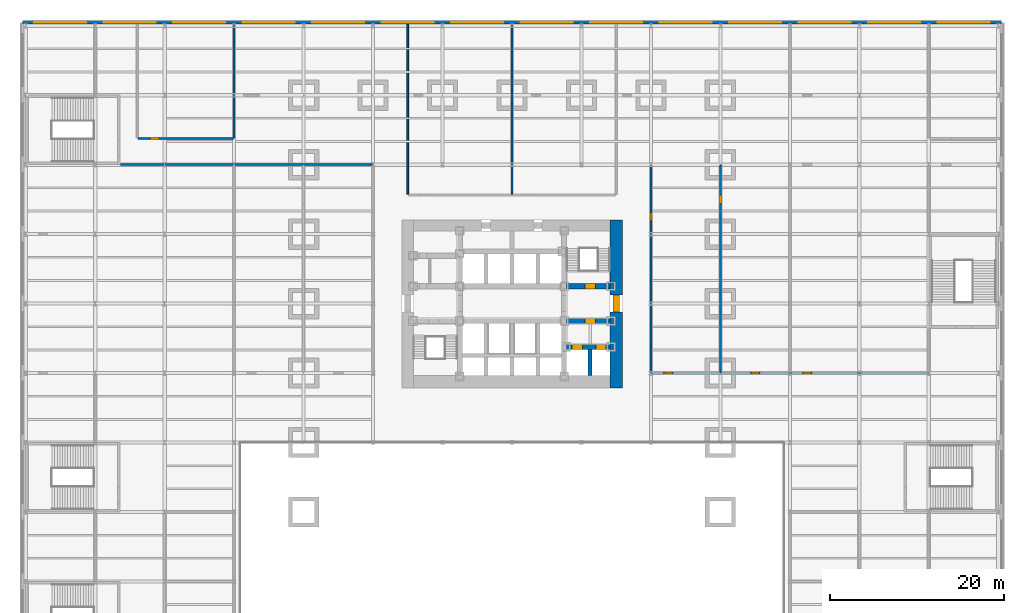
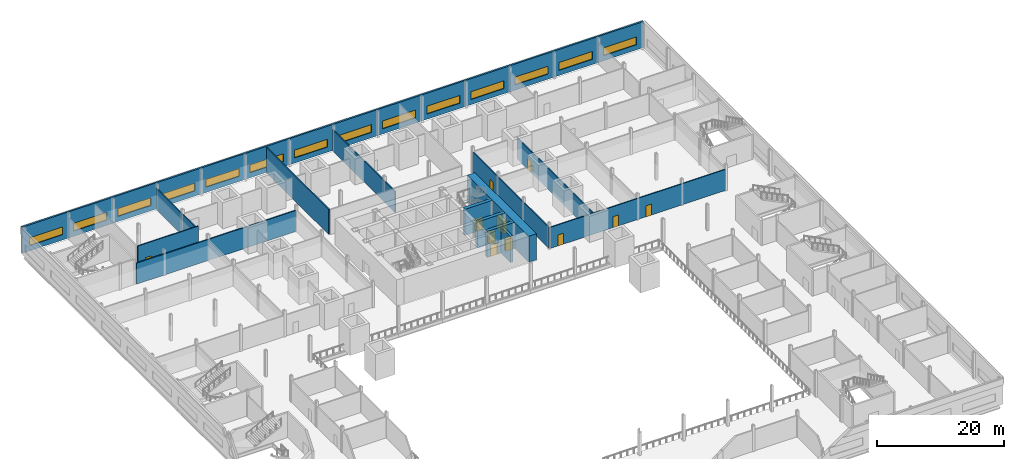
# One storey, part 12 of 18: 14 walls, 14 windows, 11 doors, 25 openings.
"""IFC4 building model written with IfcOpenShell, lengths in metres."""

from ifc_helpers import new_model, si_unit, direction, frame, frame_2d, origin, place, context, subcontext, project, spatial, rectangle, extrude, material, layer, layer_set, type_object, element, fill, save


model = new_model("IFC4")

# Units and contexts
model_context = context("Model", 3, precision=1e-05, world=origin(), true_north=direction((0.0, 1.0)))
body_context = subcontext(model_context, "Body", "Model", "MODEL_VIEW")
ifc_project = project(units=[si_unit("LENGTHUNIT", "METRE"), si_unit("AREAUNIT", "SQUARE_METRE"), si_unit("VOLUMEUNIT", "CUBIC_METRE"), si_unit("PLANEANGLEUNIT", "RADIAN"), si_unit("MASSUNIT", "GRAM", prefix="KILO")], contexts=[model_context])

# Site, building, storey
site_placement = place(None, origin())
site = spatial("IfcSite", under=ifc_project, at=site_placement, CompositionType="ELEMENT")
building_placement = place(site_placement, origin())
building = spatial("IfcBuilding", under=site, at=building_placement, Name="Daluyong Arena Tower", CompositionType="ELEMENT")
storey_placement = place(building_placement, frame((0.0, 0.0, 4.89990234375)))
storey = spatial("IfcBuildingStorey", under=building, at=storey_placement, Name="L01", CompositionType="ELEMENT", Elevation=4.89990234375)

# Wall, openings, doors
ifc_material_1 = material(Name="Concrete fc' 60 MPa", Category="concrete")
ifc_layer_1 = layer(ifc_material_1, 0.60009765625)
ifc_layer_set_1 = layer_set([ifc_layer_1], Name="Concrete fc' 60 MPa")
wall_type_1 = type_object("IfcWallType", Name="Core inner wall 600", PredefinedType="SHEAR", material=ifc_layer_set_1)
wall_1_placement = place(storey_placement, frame((62.300048828125, 75.0, 0.0), z_axis=(0.0, 0.0, 1.0), x_axis=(1.0, 0.0, 0.0)))
wall_1 = element("IfcWall", 1, at=wall_1_placement, inside=storey, type_object=wall_type_1, Name="core inner wall at L01", PredefinedType="SHEAR", context=body_context, shape_type="SweptSolid", body=[
    extrude(rectangle(XDim=5.0, YDim=0.60009765625, at=frame_2d((2.5, 0.0))), origin(), (0.0, 0.0, 1.0), 5.0),
])
opening_1_placement = place(wall_1_placement, frame((0.60009765625, 0.0, 0.0)))
opening_1 = element("IfcOpeningElement", 2, at=opening_1_placement, cuts=wall_1, Name="Opening 01013", PredefinedType="OPENING", context=body_context, shape_type="SweptSolid", body=[
    extrude(rectangle(XDim=1.199951171875, YDim=2.199951171875, at=frame_2d((0.60009765625, 1.10009765625))), frame((0.0, 0.31005859375, 0.0), z_axis=(0.0, -1.0, 0.0), x_axis=(1.0, 0.0, 0.0)), (0.0, 0.0, 1.0), 0.6201171875),
])
opening_2_placement = place(wall_1_placement, frame((3.35009765625, 0.0, 0.0)))
opening_2 = element("IfcOpeningElement", 3, at=opening_2_placement, cuts=wall_1, Name="Opening 01014", PredefinedType="OPENING", context=body_context, shape_type="SweptSolid", body=[
    extrude(rectangle(XDim=1.199951171875, YDim=2.199951171875, at=frame_2d((0.60009765625, 1.10009765625))), frame((0.0, 0.31005859375, 0.0), z_axis=(0.0, -1.0, 0.0), x_axis=(1.0, 0.0, 0.0)), (0.0, 0.0, 1.0), 0.6201171875),
])
ifc_material_2 = material(Name="Steel door, fire rated", Category="steel")
door_type_1 = type_object("IfcDoorType", Name="Firefighting lift landing door 1200", OperationType="SLIDING_TO_LEFT", PredefinedType="DOOR", material=ifc_material_2)
door_1_placement = place(opening_1_placement, origin())
door_1 = element("IfcDoor", 4, at=door_1_placement, inside=storey, type_object=door_type_1, Name="firefighting lift landing door F1 01013", OperationType="SLIDING_TO_LEFT", OverallHeight=2.199951171875, OverallWidth=1.199951171875, PredefinedType="DOOR", context=body_context, shape_type="SweptSolid", body=[
    extrude(rectangle(XDim=1.199951171875, YDim=2.199951171875, at=frame_2d((0.60009765625, 1.10009765625))), frame((0.0, 0.2998046875, 0.0), z_axis=(0.0, -1.0, 0.0), x_axis=(1.0, 0.0, 0.0)), (0.0, 0.0, 1.0), 0.599609375),
])
fill(opening_1, door_1)
door_2_placement = place(opening_2_placement, origin())
door_2 = element("IfcDoor", 5, at=door_2_placement, inside=storey, type_object=door_type_1, Name="firefighting lift landing door F2 01014", OperationType="SLIDING_TO_LEFT", OverallHeight=2.199951171875, OverallWidth=1.199951171875, PredefinedType="DOOR", context=body_context, shape_type="SweptSolid", body=[
    extrude(rectangle(XDim=1.199951171875, YDim=2.199951171875, at=frame_2d((0.60009765625, 1.10009765625))), frame((0.0, 0.2998046875, 0.0), z_axis=(0.0, -1.0, 0.0), x_axis=(1.0, 0.0, 0.0)), (0.0, 0.0, 1.0), 0.599609375),
])
fill(opening_2, door_2)

# Wall, opening, door
wall_2_placement = place(storey_placement, frame((62.300048828125, 78.0, 0.0), z_axis=(0.0, 0.0, 1.0), x_axis=(1.0, 0.0, 0.0)))
wall_2 = element("IfcWall", 6, at=wall_2_placement, inside=storey, type_object=wall_type_1, Name="core inner wall at L01", PredefinedType="SHEAR", context=body_context, shape_type="SweptSolid", body=[
    extrude(rectangle(XDim=5.0, YDim=0.60009765625, at=frame_2d((2.5, 0.0))), origin(), (0.0, 0.0, 1.0), 5.0),
])
opening_3_placement = place(wall_2_placement, frame((2.10009765625, 0.0, 0.0)))
opening_3 = element("IfcOpeningElement", 7, at=opening_3_placement, cuts=wall_2, Name="Opening 01012", PredefinedType="OPENING", context=body_context, shape_type="SweptSolid", body=[
    extrude(rectangle(XDim=1.199951171875, YDim=2.10009765625, at=frame_2d((0.60009765625, 1.050048828125))), frame((0.0, 0.31005859375, 0.0), z_axis=(0.0, -1.0, 0.0), x_axis=(1.0, 0.0, 0.0)), (0.0, 0.0, 1.0), 0.6201171875),
])
ifc_material_3 = material(Name="Steel door, fire rated", Category="steel")
door_type_2 = type_object("IfcDoorType", Name="Firefighting lobby door 1200", OperationType="SINGLE_SWING_RIGHT", PredefinedType="DOOR", material=ifc_material_3)
door_3_placement = place(opening_3_placement, origin())
door_3 = element("IfcDoor", 8, at=door_3_placement, inside=storey, type_object=door_type_2, Name="firefighting lobby door 01012", OperationType="SINGLE_SWING_RIGHT", OverallHeight=2.10009765625, OverallWidth=1.199951171875, PredefinedType="DOOR", context=body_context, shape_type="SweptSolid", body=[
    extrude(rectangle(XDim=1.199951171875, YDim=2.10009765625, at=frame_2d((0.60009765625, 1.050048828125))), frame((0.0, 0.2998046875, 0.0), z_axis=(0.0, -1.0, 0.0), x_axis=(1.0, 0.0, 0.0)), (0.0, 0.0, 1.0), 0.599609375),
])
fill(opening_3, door_3)

wall_3_placement = place(storey_placement, frame((62.300048828125, 82.0, 0.0), z_axis=(0.0, 0.0, 1.0), x_axis=(1.0, 0.0, 0.0)))
wall_3 = element("IfcWall", 9, at=wall_3_placement, inside=storey, type_object=wall_type_1, Name="core inner wall at L01", PredefinedType="SHEAR", context=body_context, shape_type="SweptSolid", body=[
    extrude(rectangle(XDim=5.0, YDim=0.60009765625, at=frame_2d((2.5, 0.0))), origin(), (0.0, 0.0, 1.0), 5.0),
])
opening_4_placement = place(wall_3_placement, frame((2.10009765625, 0.0, 0.0)))
opening_4 = element("IfcOpeningElement", 10, at=opening_4_placement, cuts=wall_3, Name="Opening 01007", PredefinedType="OPENING", context=body_context, shape_type="SweptSolid", body=[
    extrude(rectangle(XDim=1.199951171875, YDim=2.10009765625, at=frame_2d((0.60009765625, 1.050048828125))), frame((0.0, 0.31005859375, 0.0), z_axis=(0.0, -1.0, 0.0), x_axis=(1.0, 0.0, 0.0)), (0.0, 0.0, 1.0), 0.6201171875),
])
ifc_material_4 = material(Name="Steel door, fire rated", Category="steel")
door_type_3 = type_object("IfcDoorType", Name="Stair door 1200", OperationType="SINGLE_SWING_LEFT", PredefinedType="DOOR", material=ifc_material_4)
door_4_placement = place(opening_4_placement, origin())
door_4 = element("IfcDoor", 11, at=door_4_placement, inside=storey, type_object=door_type_3, Name="stair B door 01007", OperationType="SINGLE_SWING_LEFT", OverallHeight=2.10009765625, OverallWidth=1.199951171875, PredefinedType="DOOR", context=body_context, shape_type="SweptSolid", body=[
    extrude(rectangle(XDim=1.199951171875, YDim=2.10009765625, at=frame_2d((0.60009765625, 1.050048828125))), frame((0.0, 0.2998046875, 0.0), z_axis=(0.0, -1.0, 0.0), x_axis=(1.0, 0.0, 0.0)), (0.0, 0.0, 1.0), 0.599609375),
])
fill(opening_4, door_4)

ifc_material_5 = material(Name="Concrete fc' 60 MPa", Category="concrete")
ifc_layer_2 = layer(ifc_material_5, 1.39990234375)
ifc_layer_set_2 = layer_set([ifc_layer_2], Name="Concrete fc' 60 MPa")
wall_type_2 = type_object("IfcWallType", Name="Core wall 1400", PredefinedType="SHEAR", material=ifc_layer_set_2)
wall_4_placement = place(storey_placement, frame((68.0, 70.300048828125, 0.0), z_axis=(0.0, 0.0, 1.0), x_axis=(0.0, 1.0, 0.0)))
wall_4 = element("IfcWall", 12, at=wall_4_placement, inside=storey, type_object=wall_type_2, Name="core wall at L01", PredefinedType="SHEAR", context=body_context, shape_type="SweptSolid", body=[
    extrude(rectangle(XDim=19.33984375, YDim=1.39990234375, at=frame_2d((9.669921875, 0.0))), origin(), (0.0, 0.0, 1.0), 5.0),
])
opening_5_placement = place(wall_4_placement, frame((8.699951171875, 0.0, 0.0)))
opening_5 = element("IfcOpeningElement", 13, at=opening_5_placement, cuts=wall_4, Name="Opening 01009", PredefinedType="OPENING", context=body_context, shape_type="SweptSolid", body=[
    extrude(rectangle(XDim=2.0, YDim=2.39990234375, at=frame_2d((1.0, 1.199951171875))), frame((0.0, 0.7099609375, 0.0), z_axis=(0.0, -1.0, 0.0), x_axis=(1.0, 0.0, 0.0)), (0.0, 0.0, 1.0), 1.419921875),
])
ifc_material_6 = material(Name="Steel door, fire rated", Category="steel")
door_type_4 = type_object("IfcDoorType", Name="Core lobby double door 2000", OperationType="DOUBLE_DOOR_SINGLE_SWING", PredefinedType="DOOR", material=ifc_material_6)
door_5_placement = place(opening_5_placement, origin())
door_5 = element("IfcDoor", 14, at=door_5_placement, inside=storey, type_object=door_type_4, Name="core lobby door east 01009", OperationType="DOUBLE_DOOR_SINGLE_SWING", OverallHeight=2.39990234375, OverallWidth=2.0, PredefinedType="DOOR", context=body_context, shape_type="SweptSolid", body=[
    extrude(rectangle(XDim=2.0, YDim=2.39990234375, at=frame_2d((1.0, 1.199951171875))), frame((0.0, 0.35009765625, 0.0), z_axis=(0.0, -1.0, 0.0), x_axis=(1.0, 0.0, 0.0)), (0.0, 0.0, 1.0), 0.699951171875),
])
fill(opening_5, door_5)

# Wall
ifc_material_7 = material(Name="Concrete fc' 45 MPa", Category="concrete")
ifc_layer_3 = layer(ifc_material_7, 0.449951171875)
ifc_layer_set_3 = layer_set([ifc_layer_3], Name="Concrete fc' 45 MPa")
wall_type_3 = type_object("IfcWallType", Name="Lift shaft wall 450", PredefinedType="SHEAR", material=ifc_layer_set_3)
wall_5_placement = place(storey_placement, frame((65.0, 71.699951171875, 0.0), z_axis=(0.0, 0.0, 1.0), x_axis=(0.0, 1.0, 0.0)))
element("IfcWall", 15, at=wall_5_placement, inside=storey, type_object=wall_type_3, Name="lift shaft wall at L01", PredefinedType="SHEAR", context=body_context, shape_type="SweptSolid", body=[
    extrude(rectangle(XDim=3.0, YDim=0.449951171875, at=frame_2d((1.5, 0.0))), origin(), (0.0, 0.0, 1.0), 5.0),
])

# Wall, openings, doors
ifc_material_8 = material(Name="Concrete block partition", Category="concrete")
ifc_layer_4 = layer(ifc_material_8, 0.199951171875)
ifc_layer_set_4 = layer_set([ifc_layer_4], Name="Concrete block partition")
wall_type_4 = type_object("IfcWallType", Name="Partition 200", PredefinedType="PARTITIONING", material=ifc_layer_set_4)
wall_6_placement = place(storey_placement, frame((72.10009765625, 72.0, 0.0), z_axis=(0.0, 0.0, 1.0), x_axis=(1.0, 0.0, 0.0)))
wall_6 = element("IfcWall", 16, at=wall_6_placement, inside=storey, type_object=wall_type_4, Name="partition at L01", PredefinedType="PARTITIONING", context=body_context, shape_type="SweptSolid", body=[
    extrude(rectangle(XDim=31.7998046875, YDim=0.199951171875, at=frame_2d((15.89990234375, 0.0))), origin(), (0.0, 0.0, 1.0), 4.02783203125),
])
opening_6_placement = place(wall_6_placement, frame((1.39990234375, 0.0, 0.0)))
opening_6 = element("IfcOpeningElement", 17, at=opening_6_placement, cuts=wall_6, Name="Opening 01061", PredefinedType="OPENING", context=body_context, shape_type="SweptSolid", body=[
    extrude(rectangle(XDim=1.0, YDim=2.10009765625, at=frame_2d((0.5, 1.050048828125))), frame((0.0, 0.10986328125, 0.0), z_axis=(0.0, -1.0, 0.0), x_axis=(1.0, 0.0, 0.0)), (0.0, 0.0, 1.0), 0.219970703125),
])
opening_7_placement = place(wall_6_placement, frame((11.39990234375, 0.0, 0.0)))
opening_7 = element("IfcOpeningElement", 18, at=opening_7_placement, cuts=wall_6, Name="Opening 01062", PredefinedType="OPENING", context=body_context, shape_type="SweptSolid", body=[
    extrude(rectangle(XDim=1.0, YDim=2.10009765625, at=frame_2d((0.5, 1.050048828125))), frame((0.0, 0.10986328125, 0.0), z_axis=(0.0, -1.0, 0.0), x_axis=(1.0, 0.0, 0.0)), (0.0, 0.0, 1.0), 0.219970703125),
])
opening_8_placement = place(wall_6_placement, frame((17.39990234375, 0.0, 0.0)))
opening_8 = element("IfcOpeningElement", 19, at=opening_8_placement, cuts=wall_6, Name="Opening 01063", PredefinedType="OPENING", context=body_context, shape_type="SweptSolid", body=[
    extrude(rectangle(XDim=1.0, YDim=2.10009765625, at=frame_2d((0.5, 1.050048828125))), frame((0.0, 0.10986328125, 0.0), z_axis=(0.0, -1.0, 0.0), x_axis=(1.0, 0.0, 0.0)), (0.0, 0.0, 1.0), 0.219970703125),
])
ifc_material_9 = material(Name="Timber door", Category="wood")
door_type_5 = type_object("IfcDoorType", Name="Room door 1000", OperationType="SINGLE_SWING_LEFT", PredefinedType="DOOR", material=ifc_material_9)
door_6_placement = place(opening_6_placement, origin())
door_6 = element("IfcDoor", 20, at=door_6_placement, inside=storey, type_object=door_type_5, Name="promoter office door 01061", OperationType="SINGLE_SWING_LEFT", OverallHeight=2.10009765625, OverallWidth=1.0, PredefinedType="DOOR", context=body_context, shape_type="SweptSolid", body=[
    extrude(rectangle(XDim=1.0, YDim=2.10009765625, at=frame_2d((0.5, 1.050048828125))), frame((0.0, 0.099609375, 0.0), z_axis=(0.0, -1.0, 0.0), x_axis=(1.0, 0.0, 0.0)), (0.0, 0.0, 1.0), 0.199462890625),
])
fill(opening_6, door_6)
door_7_placement = place(opening_7_placement, origin())
door_7 = element("IfcDoor", 21, at=door_7_placement, inside=storey, type_object=door_type_5, Name="promoter office door 01062", OperationType="SINGLE_SWING_LEFT", OverallHeight=2.10009765625, OverallWidth=1.0, PredefinedType="DOOR", context=body_context, shape_type="SweptSolid", body=[
    extrude(rectangle(XDim=1.0, YDim=2.10009765625, at=frame_2d((0.5, 1.050048828125))), frame((0.0, 0.099609375, 0.0), z_axis=(0.0, -1.0, 0.0), x_axis=(1.0, 0.0, 0.0)), (0.0, 0.0, 1.0), 0.199462890625),
])
fill(opening_7, door_7)
door_8_placement = place(opening_8_placement, origin())
door_8 = element("IfcDoor", 22, at=door_8_placement, inside=storey, type_object=door_type_5, Name="event production office door 01063", OperationType="SINGLE_SWING_LEFT", OverallHeight=2.10009765625, OverallWidth=1.0, PredefinedType="DOOR", context=body_context, shape_type="SweptSolid", body=[
    extrude(rectangle(XDim=1.0, YDim=2.10009765625, at=frame_2d((0.5, 1.050048828125))), frame((0.0, 0.099609375, 0.0), z_axis=(0.0, -1.0, 0.0), x_axis=(1.0, 0.0, 0.0)), (0.0, 0.0, 1.0), 0.199462890625),
])
fill(opening_8, door_8)

# Wall
wall_7_placement = place(storey_placement, frame((10.949951171875, 96.0, 0.0), z_axis=(0.0, 0.0, 1.0), x_axis=(1.0, 0.0, 0.0)))
element("IfcWall", 23, at=wall_7_placement, inside=storey, type_object=wall_type_4, Name="partition at L01", PredefinedType="PARTITIONING", context=body_context, shape_type="SweptSolid", body=[
    extrude(rectangle(XDim=28.949951171875, YDim=0.199951171875, at=frame_2d((14.47509765625, 0.0))), origin(), (0.0, 0.0, 1.0), 4.02783203125),
])

# Wall, opening, door
wall_8_placement = place(storey_placement, frame((12.949951171875, 99.0, 0.0), z_axis=(0.0, 0.0, 1.0), x_axis=(1.0, 0.0, 0.0)))
wall_8 = element("IfcWall", 24, at=wall_8_placement, inside=storey, type_object=wall_type_4, Name="partition at L01", PredefinedType="PARTITIONING", context=body_context, shape_type="SweptSolid", body=[
    extrude(rectangle(XDim=10.949951171875, YDim=0.199951171875, at=frame_2d((5.47509765625, 0.0))), origin(), (0.0, 0.0, 1.0), 4.800048828125),
])
opening_9_placement = place(wall_8_placement, frame((1.39990234375, 0.0, 0.0)))
opening_9 = element("IfcOpeningElement", 25, at=opening_9_placement, cuts=wall_8, Name="Opening 01053", PredefinedType="OPENING", context=body_context, shape_type="SweptSolid", body=[
    extrude(rectangle(XDim=1.0, YDim=2.10009765625, at=frame_2d((0.5, 1.050048828125))), frame((0.0, 0.10986328125, 0.0), z_axis=(0.0, -1.0, 0.0), x_axis=(1.0, 0.0, 0.0)), (0.0, 0.0, 1.0), 0.219970703125),
])
door_9_placement = place(opening_9_placement, origin())
door_9 = element("IfcDoor", 26, at=door_9_placement, inside=storey, type_object=door_type_5, Name="officials room door 01053", OperationType="SINGLE_SWING_LEFT", OverallHeight=2.10009765625, OverallWidth=1.0, PredefinedType="DOOR", context=body_context, shape_type="SweptSolid", body=[
    extrude(rectangle(XDim=1.0, YDim=2.10009765625, at=frame_2d((0.5, 1.050048828125))), frame((0.0, 0.099609375, 0.0), z_axis=(0.0, -1.0, 0.0), x_axis=(1.0, 0.0, 0.0)), (0.0, 0.0, 1.0), 0.199462890625),
])
fill(opening_9, door_9)

# Walls
wall_9_placement = place(storey_placement, frame((24.0, 99.10009765625, 0.0), z_axis=(0.0, 0.0, 1.0), x_axis=(0.0, 1.0, 0.0)))
element("IfcWall", 27, at=wall_9_placement, inside=storey, type_object=wall_type_4, Name="partition at L01", PredefinedType="PARTITIONING", context=body_context, shape_type="SweptSolid", body=[
    extrude(rectangle(XDim=13.0498046875, YDim=0.199951171875, at=frame_2d((6.52490234375, 0.0))), origin(), (0.0, 0.0, 1.0), 4.02783203125),
])
wall_10_placement = place(storey_placement, frame((44.0, 92.60009765625, 0.0), z_axis=(0.0, 0.0, 1.0), x_axis=(0.0, 1.0, 0.0)))
element("IfcWall", 28, at=wall_10_placement, inside=storey, type_object=wall_type_4, Name="partition at L01", PredefinedType="PARTITIONING", context=body_context, shape_type="SweptSolid", body=[
    extrude(rectangle(XDim=19.5498046875, YDim=0.199951171875, at=frame_2d((9.77490234375, 0.0))), origin(), (0.0, 0.0, 1.0), 4.800048828125),
])
wall_11_placement = place(storey_placement, frame((56.0, 92.60009765625, 0.0), z_axis=(0.0, 0.0, 1.0), x_axis=(0.0, 1.0, 0.0)))
element("IfcWall", 29, at=wall_11_placement, inside=storey, type_object=wall_type_4, Name="partition at L01", PredefinedType="PARTITIONING", context=body_context, shape_type="SweptSolid", body=[
    extrude(rectangle(XDim=19.5498046875, YDim=0.199951171875, at=frame_2d((9.77490234375, 0.0))), origin(), (0.0, 0.0, 1.0), 4.02783203125),
])

# Wall, opening, door
wall_12_placement = place(storey_placement, frame((72.0, 72.10009765625, 0.0), z_axis=(0.0, 0.0, 1.0), x_axis=(0.0, 1.0, 0.0)))
wall_12 = element("IfcWall", 30, at=wall_12_placement, inside=storey, type_object=wall_type_4, Name="partition at L01", PredefinedType="PARTITIONING", context=body_context, shape_type="SweptSolid", body=[
    extrude(rectangle(XDim=23.7998046875, YDim=0.199951171875, at=frame_2d((11.89990234375, 0.0))), origin(), (0.0, 0.0, 1.0), 4.02783203125),
])
opening_10_placement = place(wall_12_placement, frame((17.39990234375, 0.0, 0.0)))
opening_10 = element("IfcOpeningElement", 31, at=opening_10_placement, cuts=wall_12, Name="Opening 01064", PredefinedType="OPENING", context=body_context, shape_type="SweptSolid", body=[
    extrude(rectangle(XDim=1.0, YDim=2.10009765625, at=frame_2d((0.5, 1.050048828125))), frame((0.0, 0.10986328125, 0.0), z_axis=(0.0, -1.0, 0.0), x_axis=(1.0, 0.0, 0.0)), (0.0, 0.0, 1.0), 0.219970703125),
])
door_10_placement = place(opening_10_placement, origin())
door_10 = element("IfcDoor", 32, at=door_10_placement, inside=storey, type_object=door_type_5, Name="team medical room door 01064", OperationType="SINGLE_SWING_LEFT", OverallHeight=2.10009765625, OverallWidth=1.0, PredefinedType="DOOR", context=body_context, shape_type="SweptSolid", body=[
    extrude(rectangle(XDim=1.0, YDim=2.10009765625, at=frame_2d((0.5, 1.050048828125))), frame((0.0, 0.099609375, 0.0), z_axis=(0.0, -1.0, 0.0), x_axis=(1.0, 0.0, 0.0)), (0.0, 0.0, 1.0), 0.199462890625),
])
fill(opening_10, door_10)

wall_13_placement = place(storey_placement, frame((80.0, 72.10009765625, 0.0), z_axis=(0.0, 0.0, 1.0), x_axis=(0.0, 1.0, 0.0)))
wall_13 = element("IfcWall", 33, at=wall_13_placement, inside=storey, type_object=wall_type_4, Name="partition at L01", PredefinedType="PARTITIONING", context=body_context, shape_type="SweptSolid", body=[
    extrude(rectangle(XDim=23.7998046875, YDim=0.199951171875, at=frame_2d((11.89990234375, 0.0))), origin(), (0.0, 0.0, 1.0), 4.02783203125),
])
opening_11_placement = place(wall_13_placement, frame((19.39990234375, 0.0, 0.0)))
opening_11 = element("IfcOpeningElement", 34, at=opening_11_placement, cuts=wall_13, Name="Opening 01065", PredefinedType="OPENING", context=body_context, shape_type="SweptSolid", body=[
    extrude(rectangle(XDim=1.0, YDim=2.10009765625, at=frame_2d((0.5, 1.050048828125))), frame((0.0, 0.10986328125, 0.0), z_axis=(0.0, -1.0, 0.0), x_axis=(1.0, 0.0, 0.0)), (0.0, 0.0, 1.0), 0.219970703125),
])
door_11_placement = place(opening_11_placement, origin())
door_11 = element("IfcDoor", 35, at=door_11_placement, inside=storey, type_object=door_type_5, Name="medical store door 01065", OperationType="SINGLE_SWING_LEFT", OverallHeight=2.10009765625, OverallWidth=1.0, PredefinedType="DOOR", context=body_context, shape_type="SweptSolid", body=[
    extrude(rectangle(XDim=1.0, YDim=2.10009765625, at=frame_2d((0.5, 1.050048828125))), frame((0.0, 0.099609375, 0.0), z_axis=(0.0, -1.0, 0.0), x_axis=(1.0, 0.0, 0.0)), (0.0, 0.0, 1.0), 0.199462890625),
])
fill(opening_11, door_11)

# Wall, openings, windows
ifc_material_10 = material(Name="Precast concrete fc' 45 MPa", Category="concrete")
ifc_layer_5 = layer(ifc_material_10, 0.300048828125)
ifc_layer_set_5 = layer_set([ifc_layer_5], Name="Precast concrete fc' 45 MPa")
wall_type_5 = type_object("IfcWallType", Name="Podium precast band wall 300", PredefinedType="SOLIDWALL", material=ifc_layer_set_5)
wall_14_placement = place(storey_placement, frame((112.35009765625, 112.35009765625, 0.0), z_axis=(0.0, 0.0, 1.0), x_axis=(-1.0, 0.0, 0.0)))
wall_14 = element("IfcWall", 36, at=wall_14_placement, inside=storey, type_object=wall_type_5, Name="podium wall N L01", PredefinedType="SOLIDWALL", context=body_context, shape_type="SweptSolid", body=[
    extrude(rectangle(XDim=112.7001953125, YDim=0.300048828125, at=frame_2d((56.35009765625, 0.0))), origin(), (0.0, 0.0, 1.0), 5.0),
])
opening_12_placement = place(wall_14_placement, frame((1.35009765625, 0.0, 1.0)))
opening_12 = element("IfcOpeningElement", 37, at=opening_12_placement, cuts=wall_14, Name="Opening W1", PredefinedType="OPENING", context=body_context, shape_type="SweptSolid", body=[
    extrude(rectangle(XDim=6.0, YDim=1.5, at=frame_2d((3.0, 0.75))), frame((0.0, 0.159912109375, 0.0), z_axis=(0.0, -1.0, 0.0), x_axis=(1.0, 0.0, 0.0)), (0.0, 0.0, 1.0), 0.320068359375),
])
opening_13_placement = place(wall_14_placement, frame((9.35009765625, 0.0, 1.0)))
opening_13 = element("IfcOpeningElement", 38, at=opening_13_placement, cuts=wall_14, Name="Opening W1", PredefinedType="OPENING", context=body_context, shape_type="SweptSolid", body=[
    extrude(rectangle(XDim=6.0, YDim=1.5, at=frame_2d((3.0, 0.75))), frame((0.0, 0.159912109375, 0.0), z_axis=(0.0, -1.0, 0.0), x_axis=(1.0, 0.0, 0.0)), (0.0, 0.0, 1.0), 0.320068359375),
])
opening_14_placement = place(wall_14_placement, frame((17.35009765625, 0.0, 1.0)))
opening_14 = element("IfcOpeningElement", 39, at=opening_14_placement, cuts=wall_14, Name="Opening W1", PredefinedType="OPENING", context=body_context, shape_type="SweptSolid", body=[
    extrude(rectangle(XDim=6.0, YDim=1.5, at=frame_2d((3.0, 0.75))), frame((0.0, 0.159912109375, 0.0), z_axis=(0.0, -1.0, 0.0), x_axis=(1.0, 0.0, 0.0)), (0.0, 0.0, 1.0), 0.320068359375),
])
opening_15_placement = place(wall_14_placement, frame((25.35009765625, 0.0, 1.0)))
opening_15 = element("IfcOpeningElement", 40, at=opening_15_placement, cuts=wall_14, Name="Opening W1", PredefinedType="OPENING", context=body_context, shape_type="SweptSolid", body=[
    extrude(rectangle(XDim=6.0, YDim=1.5, at=frame_2d((3.0, 0.75))), frame((0.0, 0.159912109375, 0.0), z_axis=(0.0, -1.0, 0.0), x_axis=(1.0, 0.0, 0.0)), (0.0, 0.0, 1.0), 0.320068359375),
])
opening_16_placement = place(wall_14_placement, frame((33.35009765625, 0.0, 1.0)))
opening_16 = element("IfcOpeningElement", 41, at=opening_16_placement, cuts=wall_14, Name="Opening W1", PredefinedType="OPENING", context=body_context, shape_type="SweptSolid", body=[
    extrude(rectangle(XDim=6.0, YDim=1.5, at=frame_2d((3.0, 0.75))), frame((0.0, 0.159912109375, 0.0), z_axis=(0.0, -1.0, 0.0), x_axis=(1.0, 0.0, 0.0)), (0.0, 0.0, 1.0), 0.320068359375),
])
opening_17_placement = place(wall_14_placement, frame((41.35009765625, 0.0, 1.0)))
opening_17 = element("IfcOpeningElement", 42, at=opening_17_placement, cuts=wall_14, Name="Opening W1", PredefinedType="OPENING", context=body_context, shape_type="SweptSolid", body=[
    extrude(rectangle(XDim=6.0, YDim=1.5, at=frame_2d((3.0, 0.75))), frame((0.0, 0.159912109375, 0.0), z_axis=(0.0, -1.0, 0.0), x_axis=(1.0, 0.0, 0.0)), (0.0, 0.0, 1.0), 0.320068359375),
])
opening_18_placement = place(wall_14_placement, frame((49.35009765625, 0.0, 1.0)))
opening_18 = element("IfcOpeningElement", 43, at=opening_18_placement, cuts=wall_14, Name="Opening W1", PredefinedType="OPENING", context=body_context, shape_type="SweptSolid", body=[
    extrude(rectangle(XDim=6.0, YDim=1.5, at=frame_2d((3.0, 0.75))), frame((0.0, 0.159912109375, 0.0), z_axis=(0.0, -1.0, 0.0), x_axis=(1.0, 0.0, 0.0)), (0.0, 0.0, 1.0), 0.320068359375),
])
opening_19_placement = place(wall_14_placement, frame((57.35009765625, 0.0, 1.0)))
opening_19 = element("IfcOpeningElement", 44, at=opening_19_placement, cuts=wall_14, Name="Opening W1", PredefinedType="OPENING", context=body_context, shape_type="SweptSolid", body=[
    extrude(rectangle(XDim=6.0, YDim=1.5, at=frame_2d((3.0, 0.75))), frame((0.0, 0.159912109375, 0.0), z_axis=(0.0, -1.0, 0.0), x_axis=(1.0, 0.0, 0.0)), (0.0, 0.0, 1.0), 0.320068359375),
])
opening_20_placement = place(wall_14_placement, frame((65.35009765625, 0.0, 1.0)))
opening_20 = element("IfcOpeningElement", 45, at=opening_20_placement, cuts=wall_14, Name="Opening W1", PredefinedType="OPENING", context=body_context, shape_type="SweptSolid", body=[
    extrude(rectangle(XDim=6.0, YDim=1.5, at=frame_2d((3.0, 0.75))), frame((0.0, 0.159912109375, 0.0), z_axis=(0.0, -1.0, 0.0), x_axis=(1.0, 0.0, 0.0)), (0.0, 0.0, 1.0), 0.320068359375),
])
opening_21_placement = place(wall_14_placement, frame((73.35009765625, 0.0, 1.0)))
opening_21 = element("IfcOpeningElement", 46, at=opening_21_placement, cuts=wall_14, Name="Opening W1", PredefinedType="OPENING", context=body_context, shape_type="SweptSolid", body=[
    extrude(rectangle(XDim=6.0, YDim=1.5, at=frame_2d((3.0, 0.75))), frame((0.0, 0.159912109375, 0.0), z_axis=(0.0, -1.0, 0.0), x_axis=(1.0, 0.0, 0.0)), (0.0, 0.0, 1.0), 0.320068359375),
])
opening_22_placement = place(wall_14_placement, frame((81.35009765625, 0.0, 1.0)))
opening_22 = element("IfcOpeningElement", 47, at=opening_22_placement, cuts=wall_14, Name="Opening W1", PredefinedType="OPENING", context=body_context, shape_type="SweptSolid", body=[
    extrude(rectangle(XDim=6.0, YDim=1.5, at=frame_2d((3.0, 0.75))), frame((0.0, 0.159912109375, 0.0), z_axis=(0.0, -1.0, 0.0), x_axis=(1.0, 0.0, 0.0)), (0.0, 0.0, 1.0), 0.320068359375),
])
opening_23_placement = place(wall_14_placement, frame((89.35009765625, 0.0, 1.0)))
opening_23 = element("IfcOpeningElement", 48, at=opening_23_placement, cuts=wall_14, Name="Opening W1", PredefinedType="OPENING", context=body_context, shape_type="SweptSolid", body=[
    extrude(rectangle(XDim=6.0, YDim=1.5, at=frame_2d((3.0, 0.75))), frame((0.0, 0.159912109375, 0.0), z_axis=(0.0, -1.0, 0.0), x_axis=(1.0, 0.0, 0.0)), (0.0, 0.0, 1.0), 0.320068359375),
])
opening_24_placement = place(wall_14_placement, frame((97.35009765625, 0.0, 1.0)))
opening_24 = element("IfcOpeningElement", 49, at=opening_24_placement, cuts=wall_14, Name="Opening W1", PredefinedType="OPENING", context=body_context, shape_type="SweptSolid", body=[
    extrude(rectangle(XDim=6.0, YDim=1.5, at=frame_2d((3.0, 0.75))), frame((0.0, 0.159912109375, 0.0), z_axis=(0.0, -1.0, 0.0), x_axis=(1.0, 0.0, 0.0)), (0.0, 0.0, 1.0), 0.320068359375),
])
opening_25_placement = place(wall_14_placement, frame((105.35009765625, 0.0, 1.0)))
opening_25 = element("IfcOpeningElement", 50, at=opening_25_placement, cuts=wall_14, Name="Opening W1", PredefinedType="OPENING", context=body_context, shape_type="SweptSolid", body=[
    extrude(rectangle(XDim=6.0, YDim=1.5, at=frame_2d((3.0, 0.75))), frame((0.0, 0.159912109375, 0.0), z_axis=(0.0, -1.0, 0.0), x_axis=(1.0, 0.0, 0.0)), (0.0, 0.0, 1.0), 0.320068359375),
])
ifc_material_11 = material(Name="Bronze aluminium window, tinted glass", Category="aluminium")
window_type = type_object("IfcWindowType", Name="Ribbon window 6000x1500", PartitioningType="TRIPLE_PANEL_HORIZONTAL", PredefinedType="WINDOW", material=ifc_material_11)
window_1_placement = place(opening_12_placement, origin())
window_1 = element("IfcWindow", 51, at=window_1_placement, inside=storey, type_object=window_type, Name="ribbon window N", OverallHeight=1.5, OverallWidth=6.0, PartitioningType="SINGLE_PANEL", PredefinedType="WINDOW", context=body_context, shape_type="SweptSolid", body=[
    extrude(rectangle(XDim=6.0, YDim=1.5, at=frame_2d((3.0, 0.75))), frame((0.0, 0.030029296875, 0.0), z_axis=(0.0, -1.0, 0.0), x_axis=(1.0, 0.0, 0.0)), (0.0, 0.0, 1.0), 0.06005859375),
])
fill(opening_12, window_1)
window_2_placement = place(opening_13_placement, origin())
window_2 = element("IfcWindow", 52, at=window_2_placement, inside=storey, type_object=window_type, Name="ribbon window N", OverallHeight=1.5, OverallWidth=6.0, PartitioningType="SINGLE_PANEL", PredefinedType="WINDOW", context=body_context, shape_type="SweptSolid", body=[
    extrude(rectangle(XDim=6.0, YDim=1.5, at=frame_2d((3.0, 0.75))), frame((0.0, 0.030029296875, 0.0), z_axis=(0.0, -1.0, 0.0), x_axis=(1.0, 0.0, 0.0)), (0.0, 0.0, 1.0), 0.06005859375),
])
fill(opening_13, window_2)
window_3_placement = place(opening_14_placement, origin())
window_3 = element("IfcWindow", 53, at=window_3_placement, inside=storey, type_object=window_type, Name="ribbon window N", OverallHeight=1.5, OverallWidth=6.0, PartitioningType="SINGLE_PANEL", PredefinedType="WINDOW", context=body_context, shape_type="SweptSolid", body=[
    extrude(rectangle(XDim=6.0, YDim=1.5, at=frame_2d((3.0, 0.75))), frame((0.0, 0.030029296875, 0.0), z_axis=(0.0, -1.0, 0.0), x_axis=(1.0, 0.0, 0.0)), (0.0, 0.0, 1.0), 0.06005859375),
])
fill(opening_14, window_3)
window_4_placement = place(opening_15_placement, origin())
window_4 = element("IfcWindow", 54, at=window_4_placement, inside=storey, type_object=window_type, Name="ribbon window N", OverallHeight=1.5, OverallWidth=6.0, PartitioningType="SINGLE_PANEL", PredefinedType="WINDOW", context=body_context, shape_type="SweptSolid", body=[
    extrude(rectangle(XDim=6.0, YDim=1.5, at=frame_2d((3.0, 0.75))), frame((0.0, 0.030029296875, 0.0), z_axis=(0.0, -1.0, 0.0), x_axis=(1.0, 0.0, 0.0)), (0.0, 0.0, 1.0), 0.06005859375),
])
fill(opening_15, window_4)
window_5_placement = place(opening_16_placement, origin())
window_5 = element("IfcWindow", 55, at=window_5_placement, inside=storey, type_object=window_type, Name="ribbon window N", OverallHeight=1.5, OverallWidth=6.0, PartitioningType="SINGLE_PANEL", PredefinedType="WINDOW", context=body_context, shape_type="SweptSolid", body=[
    extrude(rectangle(XDim=6.0, YDim=1.5, at=frame_2d((3.0, 0.75))), frame((0.0, 0.030029296875, 0.0), z_axis=(0.0, -1.0, 0.0), x_axis=(1.0, 0.0, 0.0)), (0.0, 0.0, 1.0), 0.06005859375),
])
fill(opening_16, window_5)
window_6_placement = place(opening_17_placement, origin())
window_6 = element("IfcWindow", 56, at=window_6_placement, inside=storey, type_object=window_type, Name="ribbon window N", OverallHeight=1.5, OverallWidth=6.0, PartitioningType="SINGLE_PANEL", PredefinedType="WINDOW", context=body_context, shape_type="SweptSolid", body=[
    extrude(rectangle(XDim=6.0, YDim=1.5, at=frame_2d((3.0, 0.75))), frame((0.0, 0.030029296875, 0.0), z_axis=(0.0, -1.0, 0.0), x_axis=(1.0, 0.0, 0.0)), (0.0, 0.0, 1.0), 0.06005859375),
])
fill(opening_17, window_6)
window_7_placement = place(opening_18_placement, origin())
window_7 = element("IfcWindow", 57, at=window_7_placement, inside=storey, type_object=window_type, Name="ribbon window N", OverallHeight=1.5, OverallWidth=6.0, PartitioningType="SINGLE_PANEL", PredefinedType="WINDOW", context=body_context, shape_type="SweptSolid", body=[
    extrude(rectangle(XDim=6.0, YDim=1.5, at=frame_2d((3.0, 0.75))), frame((0.0, 0.030029296875, 0.0), z_axis=(0.0, -1.0, 0.0), x_axis=(1.0, 0.0, 0.0)), (0.0, 0.0, 1.0), 0.06005859375),
])
fill(opening_18, window_7)
window_8_placement = place(opening_19_placement, origin())
window_8 = element("IfcWindow", 58, at=window_8_placement, inside=storey, type_object=window_type, Name="ribbon window N", OverallHeight=1.5, OverallWidth=6.0, PartitioningType="SINGLE_PANEL", PredefinedType="WINDOW", context=body_context, shape_type="SweptSolid", body=[
    extrude(rectangle(XDim=6.0, YDim=1.5, at=frame_2d((3.0, 0.75))), frame((0.0, 0.030029296875, 0.0), z_axis=(0.0, -1.0, 0.0), x_axis=(1.0, 0.0, 0.0)), (0.0, 0.0, 1.0), 0.06005859375),
])
fill(opening_19, window_8)
window_9_placement = place(opening_20_placement, origin())
window_9 = element("IfcWindow", 59, at=window_9_placement, inside=storey, type_object=window_type, Name="ribbon window N", OverallHeight=1.5, OverallWidth=6.0, PartitioningType="SINGLE_PANEL", PredefinedType="WINDOW", context=body_context, shape_type="SweptSolid", body=[
    extrude(rectangle(XDim=6.0, YDim=1.5, at=frame_2d((3.0, 0.75))), frame((0.0, 0.030029296875, 0.0), z_axis=(0.0, -1.0, 0.0), x_axis=(1.0, 0.0, 0.0)), (0.0, 0.0, 1.0), 0.06005859375),
])
fill(opening_20, window_9)
window_10_placement = place(opening_21_placement, origin())
window_10 = element("IfcWindow", 60, at=window_10_placement, inside=storey, type_object=window_type, Name="ribbon window N", OverallHeight=1.5, OverallWidth=6.0, PartitioningType="SINGLE_PANEL", PredefinedType="WINDOW", context=body_context, shape_type="SweptSolid", body=[
    extrude(rectangle(XDim=6.0, YDim=1.5, at=frame_2d((3.0, 0.75))), frame((0.0, 0.030029296875, 0.0), z_axis=(0.0, -1.0, 0.0), x_axis=(1.0, 0.0, 0.0)), (0.0, 0.0, 1.0), 0.06005859375),
])
fill(opening_21, window_10)
window_11_placement = place(opening_22_placement, origin())
window_11 = element("IfcWindow", 61, at=window_11_placement, inside=storey, type_object=window_type, Name="ribbon window N", OverallHeight=1.5, OverallWidth=6.0, PartitioningType="SINGLE_PANEL", PredefinedType="WINDOW", context=body_context, shape_type="SweptSolid", body=[
    extrude(rectangle(XDim=6.0, YDim=1.5, at=frame_2d((3.0, 0.75))), frame((0.0, 0.030029296875, 0.0), z_axis=(0.0, -1.0, 0.0), x_axis=(1.0, 0.0, 0.0)), (0.0, 0.0, 1.0), 0.06005859375),
])
fill(opening_22, window_11)
window_12_placement = place(opening_23_placement, origin())
window_12 = element("IfcWindow", 62, at=window_12_placement, inside=storey, type_object=window_type, Name="ribbon window N", OverallHeight=1.5, OverallWidth=6.0, PartitioningType="SINGLE_PANEL", PredefinedType="WINDOW", context=body_context, shape_type="SweptSolid", body=[
    extrude(rectangle(XDim=6.0, YDim=1.5, at=frame_2d((3.0, 0.75))), frame((0.0, 0.030029296875, 0.0), z_axis=(0.0, -1.0, 0.0), x_axis=(1.0, 0.0, 0.0)), (0.0, 0.0, 1.0), 0.06005859375),
])
fill(opening_23, window_12)
window_13_placement = place(opening_24_placement, origin())
window_13 = element("IfcWindow", 63, at=window_13_placement, inside=storey, type_object=window_type, Name="ribbon window N", OverallHeight=1.5, OverallWidth=6.0, PartitioningType="SINGLE_PANEL", PredefinedType="WINDOW", context=body_context, shape_type="SweptSolid", body=[
    extrude(rectangle(XDim=6.0, YDim=1.5, at=frame_2d((3.0, 0.75))), frame((0.0, 0.030029296875, 0.0), z_axis=(0.0, -1.0, 0.0), x_axis=(1.0, 0.0, 0.0)), (0.0, 0.0, 1.0), 0.06005859375),
])
fill(opening_24, window_13)
window_14_placement = place(opening_25_placement, origin())
window_14 = element("IfcWindow", 64, at=window_14_placement, inside=storey, type_object=window_type, Name="ribbon window N", OverallHeight=1.5, OverallWidth=6.0, PartitioningType="SINGLE_PANEL", PredefinedType="WINDOW", context=body_context, shape_type="SweptSolid", body=[
    extrude(rectangle(XDim=6.0, YDim=1.5, at=frame_2d((3.0, 0.75))), frame((0.0, 0.030029296875, 0.0), z_axis=(0.0, -1.0, 0.0), x_axis=(1.0, 0.0, 0.0)), (0.0, 0.0, 1.0), 0.06005859375),
])
fill(opening_25, window_14)

save(model, "model.ifc")
